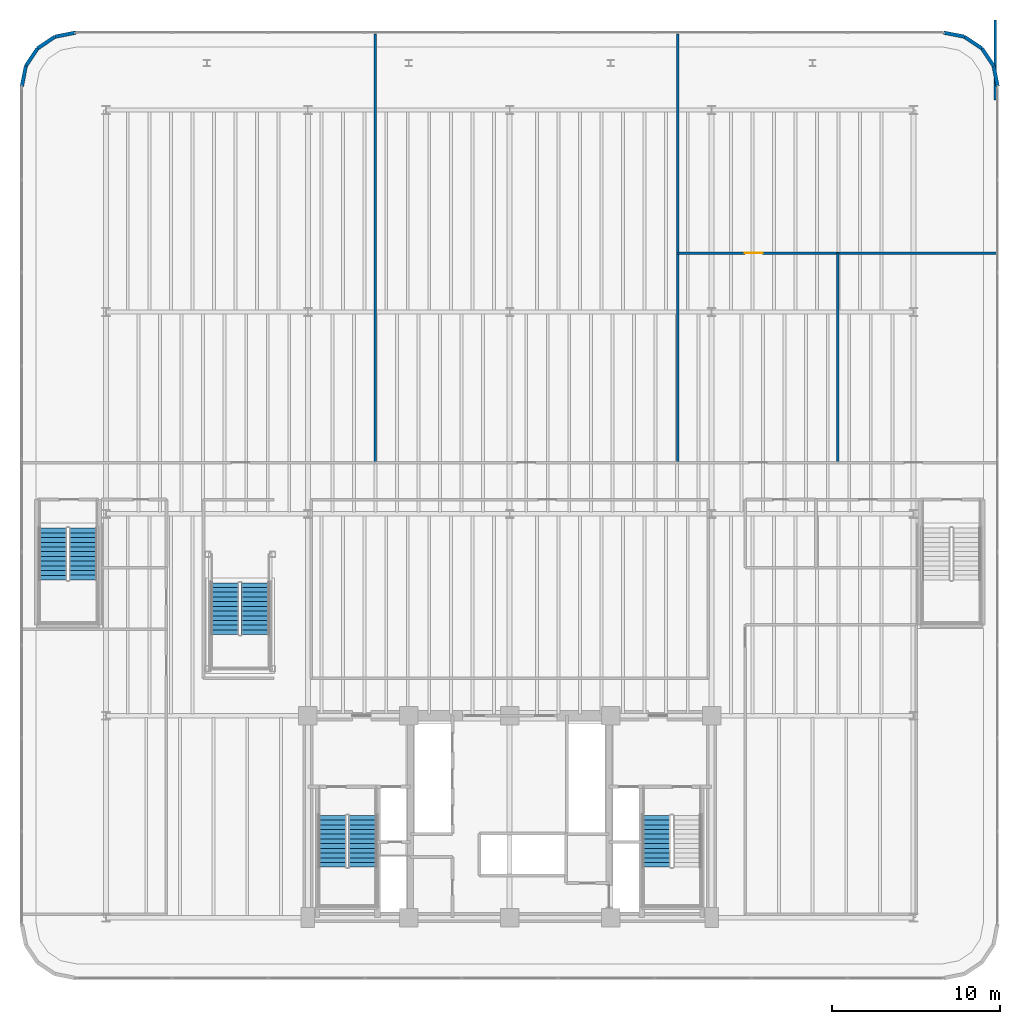
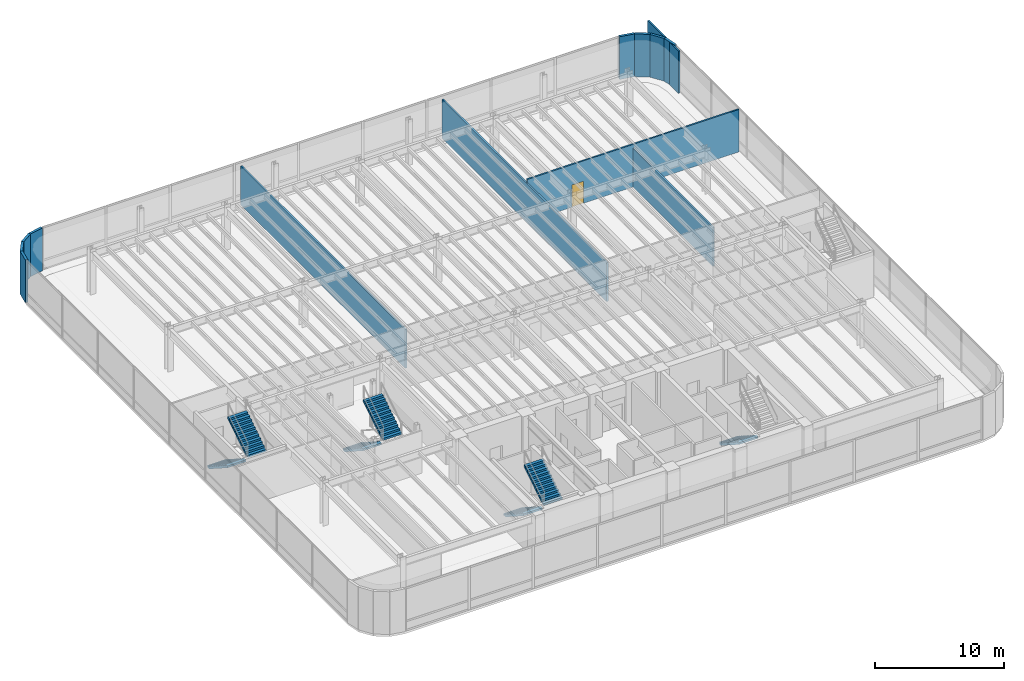
# One storey, part 15 of 19: 13 walls, 7 stair flights, 1 door, 1 opening, 4 elements without a shape of their own.
"""IFC4 building model written with IfcOpenShell, lengths in metres."""

from ifc_helpers import new_model, si_unit, direction, frame, frame_2d, origin, origin_2d, place, context, subcontext, project, spatial, polyline, rectangle, outline, extrude, source, transform, mapped, material, layer, layer_set, type_object, element, fill, aggregate, save


model = new_model("IFC4")

# Units and contexts
model_context = context("Model", 3, precision=1e-05, world=origin(), true_north=direction((0.0, 1.0)))
body_context = subcontext(model_context, "Body", "Model", "MODEL_VIEW")
ifc_project = project(units=[si_unit("LENGTHUNIT", "METRE"), si_unit("AREAUNIT", "SQUARE_METRE"), si_unit("VOLUMEUNIT", "CUBIC_METRE"), si_unit("PLANEANGLEUNIT", "RADIAN"), si_unit("MASSUNIT", "GRAM", prefix="KILO")], contexts=[model_context])

# Site, building, storey
site_placement = place(None, origin())
site = spatial("IfcSite", under=ifc_project, at=site_placement, CompositionType="ELEMENT")
building_placement = place(site_placement, origin())
building = spatial("IfcBuilding", under=site, at=building_placement, Name="Brelvock Crest Care Tower", CompositionType="ELEMENT")
storey_placement = place(building_placement, frame((0.0, 0.0, 14.0400390625)))
storey = spatial("IfcBuildingStorey", under=building, at=storey_placement, Name="L03", CompositionType="ELEMENT", Elevation=14.0400390625)

# Walls
ifc_material_1 = material(Name="Precast concrete N40 (40 MPa)", Category="concrete")
ifc_layer_1 = layer(ifc_material_1, 0.215087890625, Name="WL-EX2")
ifc_layer_set_1 = layer_set([ifc_layer_1], Name="Precast concrete N40 (40 MPa)")
wall_type_1 = type_object("IfcWallType", Name="WL-EX2", PredefinedType="SOLIDWALL", material=ifc_layer_set_1)
for number, where, z_axis, x_axis, name in (
    (1, (7.0, 55.39990234375, 0.0), (0.0, 0.0, 1.0), (0.195138390419, 0.980775717779, 0.0), "L03 Rounded Corner Wall 05"),
    (2, (7.24365234375, 56.62451171875, 0.0), (0.0, 0.0, 1.0), (0.555557312883, 0.831478245117, 0.0), "L03 Rounded Corner Wall 06"),
    (3, (7.937255859375, 57.66259765625, 0.0), (0.0, 0.0, 1.0), (0.831387912822, 0.555692485475, 0.0), "L03 Rounded Corner Wall 07"),
    (4, (8.975341796875, 58.3564453125, 0.0), (0.0, 0.0, 1.0), (0.980775717779, 0.195138390419, 0.0), "L03 Rounded Corner Wall 08"),
    (5, (61.800048828125, 58.60009765625, 0.0), (0.0, 0.0, 1.0), (0.980775717779, -0.195138390419, 0.0), "L03 Rounded Corner Wall 10"),
    (6, (63.024658203125, 58.3564453125, 0.0), (0.0, 0.0, 1.0), (0.831387912822, -0.555692485475, 0.0), "L03 Rounded Corner Wall 11"),
    (7, (64.062744140625, 57.66259765625, 0.0), (0.0, 0.0, 1.0), (0.555557312883, -0.831478245117, 0.0), "L03 Rounded Corner Wall 12"),
    (8, (64.75634765625, 56.62451171875, 0.0), (0.0, 0.0, 1.0), (0.195138390419, -0.980775717779, 0.0), "L03 Rounded Corner Wall 13"),
):
    element("IfcWall", number, at=place(storey_placement, frame(where, z_axis=z_axis, x_axis=x_axis)), inside=storey, type_object=wall_type_1, Name=name, PredefinedType="SOLIDWALL", context=body_context, shape_type="SweptSolid", body=[
        extrude(rectangle(XDim=1.24853515625, YDim=0.215087890625, at=frame_2d((0.624267578125, 0.0))), origin(), (0.0, 0.0, 1.0), 4.0400390625),
    ])

# Wall, opening, door
ifc_material_2 = material(Name="Masonry Blockwork Acoustic Partition", Category="masonry")
ifc_layer_2 = layer(ifc_material_2, 0.14990234375, Name="WL-INT1")
ifc_layer_set_2 = layer_set([ifc_layer_2], Name="Masonry Blockwork Acoustic Partition")
wall_type_2 = type_object("IfcWallType", Name="WL-INT1", PredefinedType="PARTITIONING", material=ifc_layer_set_2)
wall_1_placement = place(storey_placement, frame((46.0, 45.5, 0.0), z_axis=(0.0, 0.0, 1.0), x_axis=(1.0, 0.0, 0.0)))
wall_1 = element("IfcWall", 9, at=wall_1_placement, inside=storey, type_object=wall_type_2, Name="L03 Interior Wall WL-RM-L03-OCC3", PredefinedType="PARTITIONING", context=body_context, shape_type="SweptSolid", body=[
    extrude(rectangle(XDim=18.919921875, YDim=0.14990234375, at=frame_2d((9.4599609375, 0.0))), origin(), (0.0, 0.0, 1.0), 4.010009765625),
])
opening_placement = place(wall_1_placement, frame((3.97509765625, 0.0, 0.0)))
opening = element("IfcOpeningElement", 10, at=opening_placement, cuts=wall_1, Name="Opening CLD-1", PredefinedType="OPENING", context=body_context, shape_type="SweptSolid", body=[
    extrude(rectangle(XDim=1.050048828125, YDim=2.10009765625, at=origin_2d()), frame((0.52490234375, 0.0849609375, 1.050048828125), z_axis=(0.0, -1.0, 0.0), x_axis=(1.0, 0.0, 0.0)), (0.0, 0.0, 1.0), 0.169921875),
])
ifc_material_3 = material(Name="Engineered Hardwood Timber", Category="wood")
door_type = type_object("IfcDoorType", Name="DR-CLN1", OperationType="NOTDEFINED", PredefinedType="DOOR", material=ifc_material_3)
shared_shape = source(origin(), body_context, "Body", "SweptSolid", [
    extrude(rectangle(XDim=1.050048828125, YDim=2.10009765625, at=origin_2d()), frame((0.52490234375, 0.02490234375, 1.050048828125), z_axis=(0.0, -1.0, 0.0), x_axis=(1.0, 0.0, 0.0)), (0.0, 0.0, 1.0), 0.050048828125),
])
door_placement = place(opening_placement, origin())
door = element("IfcDoor", 11, at=door_placement, inside=storey, type_object=door_type, Name="L03 North Sensory Garden Salon Door OCC3", OperationType="SINGLE_SWING_LEFT", OverallHeight=2.10009765625, OverallWidth=1.050048828125, PredefinedType="DOOR", context=body_context, shape_type="MappedRepresentation", body=[
    mapped(shared_shape, transform((0.0, 0.0, 0.0), x_axis=(1.0, 0.0, 0.0), y_axis=(0.0, 1.0, 0.0), z_axis=(0.0, 0.0, 1.0), scale=1.0)),
])
fill(opening, door)

# Walls
for number, where, z_axis, x_axis, name in (
    (12, (28.0, 33.050048828125, 0.0), (0.0, 0.0, 1.0), (0.0, 1.0, 0.0), "L03 Interior Wall WL-BX-L03-GYM-W"),
    (13, (46.0, 33.050048828125, 0.0), (0.0, 0.0, 1.0), (0.0, 1.0, 0.0), "L03 Interior Wall WL-BX-L03-GYM-E"),
):
    element("IfcWall", number, at=place(storey_placement, frame(where, z_axis=z_axis, x_axis=x_axis)), inside=storey, type_object=wall_type_2, Name=name, PredefinedType="PARTITIONING", context=body_context, shape_type="SweptSolid", body=[
        extrude(rectangle(XDim=25.469970703125, YDim=0.14990234375, at=frame_2d((12.73486328125, 0.0))), origin(), (0.0, 0.0, 1.0), 3.666015625),
    ])
wall_2_placement = place(storey_placement, frame((55.5, 33.050048828125, 0.0), z_axis=(0.0, 0.0, 1.0), x_axis=(0.0, 1.0, 0.0)))
element("IfcWall", 14, at=wall_2_placement, inside=storey, type_object=wall_type_2, Name="L03 Interior Wall WL-BX-L03-OCC1-E", PredefinedType="PARTITIONING", context=body_context, shape_type="SweptSolid", body=[
    extrude(rectangle(XDim=12.449951171875, YDim=0.14990234375, at=frame_2d((6.22509765625, 0.0))), origin(), (0.0, 0.0, 1.0), 3.666015625),
])
wall_3_placement = place(storey_placement, frame((64.85009765625, 54.596435546875, 0.0), z_axis=(0.0, 0.0, 1.0), x_axis=(0.0, 1.0, 0.0)))
element("IfcWall", 15, at=wall_3_placement, inside=storey, type_object=wall_type_2, Name="L03 Interior Wall WL-BX-L03-OCC3-E", PredefinedType="PARTITIONING", context=body_context, shape_type="SweptSolid", body=[
    extrude(rectangle(XDim=4.753662109375, YDim=0.14990234375, at=frame_2d((2.376953125, 0.0))), origin(), (0.0, 0.0, 1.0), 4.010009765625),
])

# Stair, stair flights
ifc_material_4 = material(Name="Concrete N40 (40 MPa)", Category="concrete")
stair_type_1 = type_object("IfcStairType", Name="ST-CORE1", PredefinedType="HALF_TURN_STAIR", material=ifc_material_4)
stair_1_placement = place(storey_placement, origin())
stair_1 = element("IfcStair", 16, at=stair_1_placement, inside=storey, type_object=stair_type_1, Name="L03 Fire-Isolated Core Stair ST-1", PredefinedType="HALF_TURN_STAIR")
stair_flight_type_1 = type_object("IfcStairFlightType", Name="STF-1", PredefinedType="STRAIGHT", material=ifc_material_4)
stair_flight_1_placement = place(storey_placement, frame((25.469970703125, 12.080078125, 0.0), z_axis=(0.0, 0.0, 1.0), x_axis=(0.0, -1.0, 0.0)))
stair_flight_1 = element("IfcStairFlight", 17, at=stair_flight_1_placement, type_object=stair_flight_type_1, Name="ST-1 flight 1", NumberOfRisers=12, NumberOfTreads=11, PredefinedType="STRAIGHT", RiserHeight=0.18, TreadLength=0.28, context=body_context, shape_type="SweptSolid", body=[
    extrude(outline(polyline([(-0.00390625, -0.014892578125), (-0.00390625, -0.008056640625), (-0.00390625, -0.0009765625), (-0.00390625, 0.005859375), (-0.00390625, 0.012939453125), (-0.00390625, 0.019775390625), (-0.00390625, 0.02685546875), (-0.00390625, 0.03369140625), (-0.00390625, 0.040771484375), (-0.00390625, 0.047607421875), (-0.00390625, 0.0546875), (-0.00390625, 0.0615234375), (-0.00390625, 0.068603515625), (-0.00390625, 0.075439453125), (-0.00390625, 0.08251953125), (-0.00390625, 0.08935546875), (-0.00390625, 0.096435546875), (-0.00390625, 0.103271484375), (-0.00390625, 0.1103515625), (-0.00390625, 0.117431640625), (-0.00390625, 0.124267578125), (-0.00390625, 0.13134765625), (-0.00390625, 0.13818359375), (-0.00390625, 0.145263671875), (-0.00390625, 0.152099609375), (-0.00390625, 0.1591796875), (-0.00390625, 0.166015625), (-0.00390625, 0.173095703125), (-0.00390625, 0.179931640625), (0.0, 0.179931640625), (0.280029296875, 0.179931640625), (0.280029296875, 0.360107421875), (0.56005859375, 0.360107421875), (0.56005859375, 0.5400390625), (0.840087890625, 0.5400390625), (0.840087890625, 0.719970703125), (1.1201171875, 0.719970703125), (1.1201171875, 0.89990234375), (1.39990234375, 0.89990234375), (1.39990234375, 1.080078125), (1.679931640625, 1.080078125), (1.679931640625, 1.260009765625), (1.9599609375, 1.260009765625), (1.9599609375, 1.43994140625), (2.239990234375, 1.43994140625), (2.239990234375, 1.6201171875), (2.52001953125, 1.6201171875), (2.52001953125, 1.800048828125), (2.800048828125, 1.800048828125), (2.800048828125, 1.97998046875), (3.080078125, 1.97998046875), (3.083984375, 1.97998046875), (3.083740234375, 1.979248046875), (3.083984375, 1.978759765625), (3.083740234375, 1.97802734375), (3.083984375, 1.9775390625), (3.083740234375, 1.976806640625), (3.083984375, 1.97607421875), (3.083740234375, 1.9755859375), (3.083984375, 1.974853515625), (3.083740234375, 1.97412109375), (3.083984375, 1.9736328125), (3.083740234375, 1.972900390625), (3.083984375, 1.97216796875), (3.083740234375, 1.9716796875), (3.083984375, 1.970947265625), (3.083740234375, 1.970458984375), (3.083984375, 1.9697265625), (3.083740234375, 1.968994140625), (3.083984375, 1.968505859375), (3.083740234375, 1.9677734375), (3.083984375, 1.967041015625), (3.083740234375, 1.966552734375), (3.083984375, 1.9658203125), (3.083740234375, 1.96533203125), (3.083984375, 1.964599609375), (3.083740234375, 1.9638671875), (3.083984375, 1.96337890625), (3.083740234375, 1.962646484375), (3.083984375, 1.9619140625), (3.080078125, 1.8017578125), (0.277099609375, 0.0), (0.0, 0.0), (0.0, -0.014892578125), (-0.00390625, -0.014892578125)])), frame((0.0, 0.83984375, 0.0), z_axis=(0.0, -1.0, 0.0), x_axis=(1.0, 0.0, 0.0)), (0.0, 0.0, 1.0), 1.679931640625),
])
stair_flight_2_placement = place(storey_placement, frame((27.27001953125, 9.0, 2.159912109375), z_axis=(0.0, 0.0, 1.0), x_axis=(0.0, 1.0, 0.0)))
stair_flight_2 = element("IfcStairFlight", 18, at=stair_flight_2_placement, type_object=stair_flight_type_1, Name="ST-1 flight 2", NumberOfRisers=12, NumberOfTreads=11, PredefinedType="STRAIGHT", RiserHeight=0.18, TreadLength=0.28, context=body_context, shape_type="SweptSolid", body=[
    extrude(outline(polyline([(-0.00390625, -0.014892578125), (-0.00390625, -0.008056640625), (-0.00390625, -0.0009765625), (-0.00390625, 0.005859375), (-0.00390625, 0.012939453125), (-0.00390625, 0.019775390625), (-0.00390625, 0.02685546875), (-0.00390625, 0.03369140625), (-0.00390625, 0.040771484375), (-0.00390625, 0.047607421875), (-0.00390625, 0.0546875), (-0.00390625, 0.0615234375), (-0.00390625, 0.068603515625), (-0.00390625, 0.075439453125), (-0.00390625, 0.08251953125), (-0.00390625, 0.08935546875), (-0.00390625, 0.096435546875), (-0.00390625, 0.103271484375), (-0.00390625, 0.1103515625), (-0.00390625, 0.117431640625), (-0.00390625, 0.124267578125), (-0.00390625, 0.13134765625), (-0.00390625, 0.13818359375), (-0.00390625, 0.145263671875), (-0.00390625, 0.152099609375), (-0.00390625, 0.1591796875), (-0.00390625, 0.166015625), (-0.00390625, 0.173095703125), (-0.00390625, 0.179931640625), (0.0, 0.179931640625), (0.280029296875, 0.179931640625), (0.280029296875, 0.360107421875), (0.56005859375, 0.360107421875), (0.56005859375, 0.5400390625), (0.840087890625, 0.5400390625), (0.840087890625, 0.719970703125), (1.1201171875, 0.719970703125), (1.1201171875, 0.89990234375), (1.39990234375, 0.89990234375), (1.39990234375, 1.080078125), (1.679931640625, 1.080078125), (1.679931640625, 1.260009765625), (1.9599609375, 1.260009765625), (1.9599609375, 1.43994140625), (2.239990234375, 1.43994140625), (2.239990234375, 1.6201171875), (2.52001953125, 1.6201171875), (2.52001953125, 1.800048828125), (2.800048828125, 1.800048828125), (2.800048828125, 1.97998046875), (3.080078125, 1.97998046875), (3.083984375, 1.97998046875), (3.083740234375, 1.979248046875), (3.083984375, 1.978759765625), (3.083740234375, 1.97802734375), (3.083984375, 1.9775390625), (3.083740234375, 1.976806640625), (3.083984375, 1.97607421875), (3.083740234375, 1.9755859375), (3.083984375, 1.974853515625), (3.083740234375, 1.97412109375), (3.083984375, 1.9736328125), (3.083740234375, 1.972900390625), (3.083984375, 1.97216796875), (3.083740234375, 1.9716796875), (3.083984375, 1.970947265625), (3.083740234375, 1.970458984375), (3.083984375, 1.9697265625), (3.083740234375, 1.968994140625), (3.083984375, 1.968505859375), (3.083740234375, 1.9677734375), (3.083984375, 1.967041015625), (3.083740234375, 1.966552734375), (3.083984375, 1.9658203125), (3.083740234375, 1.96533203125), (3.083984375, 1.964599609375), (3.083740234375, 1.9638671875), (3.083984375, 1.96337890625), (3.083740234375, 1.962646484375), (3.083984375, 1.9619140625), (3.080078125, 1.8017578125), (0.277099609375, 0.0), (0.0, 0.0), (0.0, -0.014892578125), (-0.00390625, -0.014892578125)])), frame((0.0, 0.83984375, 0.0), z_axis=(0.0, -1.0, 0.0), x_axis=(1.0, 0.0, 0.0)), (0.0, 0.0, 1.0), 1.679931640625),
])
aggregate(stair_1, [stair_flight_1, stair_flight_2])

# Stair, stair flight
stair_2_placement = place(storey_placement, origin())
stair_2 = element("IfcStair", 19, at=stair_2_placement, inside=storey, type_object=stair_type_1, Name="L03 Fire-Isolated Core Stair ST-2", PredefinedType="HALF_TURN_STAIR")
stair_flight_3_placement = place(storey_placement, frame((44.72998046875, 12.080078125, 0.0), z_axis=(0.0, 0.0, 1.0), x_axis=(0.0, -1.0, 0.0)))
stair_flight_3 = element("IfcStairFlight", 20, at=stair_flight_3_placement, type_object=stair_flight_type_1, Name="ST-2 flight 1", NumberOfRisers=12, NumberOfTreads=11, PredefinedType="STRAIGHT", RiserHeight=0.18, TreadLength=0.28, context=body_context, shape_type="SweptSolid", body=[
    extrude(outline(polyline([(-0.00390625, -0.014892578125), (-0.00390625, -0.008056640625), (-0.00390625, -0.0009765625), (-0.00390625, 0.005859375), (-0.00390625, 0.012939453125), (-0.00390625, 0.019775390625), (-0.00390625, 0.02685546875), (-0.00390625, 0.03369140625), (-0.00390625, 0.040771484375), (-0.00390625, 0.047607421875), (-0.00390625, 0.0546875), (-0.00390625, 0.0615234375), (-0.00390625, 0.068603515625), (-0.00390625, 0.075439453125), (-0.00390625, 0.08251953125), (-0.00390625, 0.08935546875), (-0.00390625, 0.096435546875), (-0.00390625, 0.103271484375), (-0.00390625, 0.1103515625), (-0.00390625, 0.117431640625), (-0.00390625, 0.124267578125), (-0.00390625, 0.13134765625), (-0.00390625, 0.13818359375), (-0.00390625, 0.145263671875), (-0.00390625, 0.152099609375), (-0.00390625, 0.1591796875), (-0.00390625, 0.166015625), (-0.00390625, 0.173095703125), (-0.00390625, 0.179931640625), (0.0, 0.179931640625), (0.280029296875, 0.179931640625), (0.280029296875, 0.360107421875), (0.56005859375, 0.360107421875), (0.56005859375, 0.5400390625), (0.840087890625, 0.5400390625), (0.840087890625, 0.719970703125), (1.1201171875, 0.719970703125), (1.1201171875, 0.89990234375), (1.39990234375, 0.89990234375), (1.39990234375, 1.080078125), (1.679931640625, 1.080078125), (1.679931640625, 1.260009765625), (1.9599609375, 1.260009765625), (1.9599609375, 1.43994140625), (2.239990234375, 1.43994140625), (2.239990234375, 1.6201171875), (2.52001953125, 1.6201171875), (2.52001953125, 1.800048828125), (2.800048828125, 1.800048828125), (2.800048828125, 1.97998046875), (3.080078125, 1.97998046875), (3.083984375, 1.97998046875), (3.083740234375, 1.979248046875), (3.083984375, 1.978759765625), (3.083740234375, 1.97802734375), (3.083984375, 1.9775390625), (3.083740234375, 1.976806640625), (3.083984375, 1.97607421875), (3.083740234375, 1.9755859375), (3.083984375, 1.974853515625), (3.083740234375, 1.97412109375), (3.083984375, 1.9736328125), (3.083740234375, 1.972900390625), (3.083984375, 1.97216796875), (3.083740234375, 1.9716796875), (3.083984375, 1.970947265625), (3.083740234375, 1.970458984375), (3.083984375, 1.9697265625), (3.083740234375, 1.968994140625), (3.083984375, 1.968505859375), (3.083740234375, 1.9677734375), (3.083984375, 1.967041015625), (3.083740234375, 1.966552734375), (3.083984375, 1.9658203125), (3.083740234375, 1.96533203125), (3.083984375, 1.964599609375), (3.083740234375, 1.9638671875), (3.083984375, 1.96337890625), (3.083740234375, 1.962646484375), (3.083984375, 1.9619140625), (3.080078125, 1.8017578125), (0.277099609375, 0.0), (0.0, 0.0), (0.0, -0.014892578125), (-0.00390625, -0.014892578125)])), frame((0.0, 0.83984375, 0.0), z_axis=(0.0, -1.0, 0.0), x_axis=(1.0, 0.0, 0.0)), (0.0, 0.0, 1.0), 1.679931640625),
])
aggregate(stair_2, [stair_flight_3])

# Stair, stair flights
stair_type_2 = type_object("IfcStairType", Name="ST-FEA1", PredefinedType="HALF_TURN_STAIR", material=ifc_material_4)
stair_3_placement = place(storey_placement, origin())
stair_3 = element("IfcStair", 21, at=stair_3_placement, inside=storey, type_object=stair_type_2, Name="L03 Clinic Atrium Feature Stair ST-5", PredefinedType="HALF_TURN_STAIR")
stair_flight_4_placement = place(storey_placement, frame((19.080078125, 25.89990234375, 0.0), z_axis=(0.0, 0.0, 1.0), x_axis=(0.0, -1.0, 0.0)))
stair_flight_4 = element("IfcStairFlight", 22, at=stair_flight_4_placement, type_object=stair_flight_type_1, Name="ST-5 flight 1", NumberOfRisers=12, NumberOfTreads=11, PredefinedType="STRAIGHT", RiserHeight=0.18, TreadLength=0.28, context=body_context, shape_type="SweptSolid", body=[
    extrude(outline(polyline([(-0.00390625, -0.014892578125), (-0.00390625, -0.008056640625), (-0.00390625, -0.0009765625), (-0.00390625, 0.005859375), (-0.00390625, 0.012939453125), (-0.00390625, 0.019775390625), (-0.00390625, 0.02685546875), (-0.00390625, 0.03369140625), (-0.00390625, 0.040771484375), (-0.00390625, 0.047607421875), (-0.00390625, 0.0546875), (-0.00390625, 0.0615234375), (-0.00390625, 0.068603515625), (-0.00390625, 0.075439453125), (-0.00390625, 0.08251953125), (-0.00390625, 0.08935546875), (-0.00390625, 0.096435546875), (-0.00390625, 0.103271484375), (-0.00390625, 0.1103515625), (-0.00390625, 0.117431640625), (-0.00390625, 0.124267578125), (-0.00390625, 0.13134765625), (-0.00390625, 0.13818359375), (-0.00390625, 0.145263671875), (-0.00390625, 0.152099609375), (-0.00390625, 0.1591796875), (-0.00390625, 0.166015625), (-0.00390625, 0.173095703125), (-0.00390625, 0.179931640625), (0.0, 0.179931640625), (0.280029296875, 0.179931640625), (0.280029296875, 0.360107421875), (0.56005859375, 0.360107421875), (0.56005859375, 0.5400390625), (0.840087890625, 0.5400390625), (0.840087890625, 0.719970703125), (1.1201171875, 0.719970703125), (1.1201171875, 0.89990234375), (1.39990234375, 0.89990234375), (1.39990234375, 1.080078125), (1.679931640625, 1.080078125), (1.679931640625, 1.260009765625), (1.9599609375, 1.260009765625), (1.9599609375, 1.43994140625), (2.239990234375, 1.43994140625), (2.239990234375, 1.6201171875), (2.52001953125, 1.6201171875), (2.52001953125, 1.800048828125), (2.800048828125, 1.800048828125), (2.800048828125, 1.97998046875), (3.080078125, 1.97998046875), (3.083984375, 1.97998046875), (3.083740234375, 1.979248046875), (3.083984375, 1.978759765625), (3.083740234375, 1.97802734375), (3.083984375, 1.9775390625), (3.083740234375, 1.976806640625), (3.083984375, 1.97607421875), (3.083740234375, 1.9755859375), (3.083984375, 1.974853515625), (3.083740234375, 1.97412109375), (3.083984375, 1.9736328125), (3.083740234375, 1.972900390625), (3.083984375, 1.97216796875), (3.083740234375, 1.9716796875), (3.083984375, 1.970947265625), (3.083740234375, 1.970458984375), (3.083984375, 1.9697265625), (3.083740234375, 1.968994140625), (3.083984375, 1.968505859375), (3.083740234375, 1.9677734375), (3.083984375, 1.967041015625), (3.083740234375, 1.966552734375), (3.083984375, 1.9658203125), (3.083740234375, 1.96533203125), (3.083984375, 1.964599609375), (3.083740234375, 1.9638671875), (3.083984375, 1.96337890625), (3.083740234375, 1.962646484375), (3.083984375, 1.9619140625), (3.080078125, 1.8017578125), (0.277099609375, 0.0), (0.0, 0.0), (0.0, -0.014892578125), (-0.00390625, -0.014892578125)])), frame((0.0, 0.83984375, 0.0), z_axis=(0.0, -1.0, 0.0), x_axis=(1.0, 0.0, 0.0)), (0.0, 0.0, 1.0), 1.679931640625),
])
stair_flight_5_placement = place(storey_placement, frame((20.8798828125, 22.820068359375, 2.159912109375), z_axis=(0.0, 0.0, 1.0), x_axis=(0.0, 1.0, 0.0)))
stair_flight_5 = element("IfcStairFlight", 23, at=stair_flight_5_placement, type_object=stair_flight_type_1, Name="ST-5 flight 2", NumberOfRisers=12, NumberOfTreads=11, PredefinedType="STRAIGHT", RiserHeight=0.18, TreadLength=0.28, context=body_context, shape_type="SweptSolid", body=[
    extrude(outline(polyline([(-0.00390625, -0.014892578125), (-0.00390625, -0.008056640625), (-0.00390625, -0.0009765625), (-0.00390625, 0.005859375), (-0.00390625, 0.012939453125), (-0.00390625, 0.019775390625), (-0.00390625, 0.02685546875), (-0.00390625, 0.03369140625), (-0.00390625, 0.040771484375), (-0.00390625, 0.047607421875), (-0.00390625, 0.0546875), (-0.00390625, 0.0615234375), (-0.00390625, 0.068603515625), (-0.00390625, 0.075439453125), (-0.00390625, 0.08251953125), (-0.00390625, 0.08935546875), (-0.00390625, 0.096435546875), (-0.00390625, 0.103271484375), (-0.00390625, 0.1103515625), (-0.00390625, 0.117431640625), (-0.00390625, 0.124267578125), (-0.00390625, 0.13134765625), (-0.00390625, 0.13818359375), (-0.00390625, 0.145263671875), (-0.00390625, 0.152099609375), (-0.00390625, 0.1591796875), (-0.00390625, 0.166015625), (-0.00390625, 0.173095703125), (-0.00390625, 0.179931640625), (0.0, 0.179931640625), (0.280029296875, 0.179931640625), (0.280029296875, 0.360107421875), (0.56005859375, 0.360107421875), (0.56005859375, 0.5400390625), (0.840087890625, 0.5400390625), (0.840087890625, 0.719970703125), (1.1201171875, 0.719970703125), (1.1201171875, 0.89990234375), (1.39990234375, 0.89990234375), (1.39990234375, 1.080078125), (1.679931640625, 1.080078125), (1.679931640625, 1.260009765625), (1.9599609375, 1.260009765625), (1.9599609375, 1.43994140625), (2.239990234375, 1.43994140625), (2.239990234375, 1.6201171875), (2.52001953125, 1.6201171875), (2.52001953125, 1.800048828125), (2.800048828125, 1.800048828125), (2.800048828125, 1.97998046875), (3.080078125, 1.97998046875), (3.083984375, 1.97998046875), (3.083740234375, 1.979248046875), (3.083984375, 1.978759765625), (3.083740234375, 1.97802734375), (3.083984375, 1.9775390625), (3.083740234375, 1.976806640625), (3.083984375, 1.97607421875), (3.083740234375, 1.9755859375), (3.083984375, 1.974853515625), (3.083740234375, 1.97412109375), (3.083984375, 1.9736328125), (3.083740234375, 1.972900390625), (3.083984375, 1.97216796875), (3.083740234375, 1.9716796875), (3.083984375, 1.970947265625), (3.083740234375, 1.970458984375), (3.083984375, 1.9697265625), (3.083740234375, 1.968994140625), (3.083984375, 1.968505859375), (3.083740234375, 1.9677734375), (3.083984375, 1.967041015625), (3.083740234375, 1.966552734375), (3.083984375, 1.9658203125), (3.083740234375, 1.96533203125), (3.083984375, 1.964599609375), (3.083740234375, 1.9638671875), (3.083984375, 1.96337890625), (3.083740234375, 1.962646484375), (3.083984375, 1.9619140625), (3.080078125, 1.8017578125), (0.277099609375, 0.0), (0.0, 0.0), (0.0, -0.014892578125), (-0.00390625, -0.014892578125)])), frame((0.0, 0.83984375, 0.0), z_axis=(0.0, -1.0, 0.0), x_axis=(1.0, 0.0, 0.0)), (0.0, 0.0, 1.0), 1.679931640625),
])
aggregate(stair_3, [stair_flight_4, stair_flight_5])

stair_type_3 = type_object("IfcStairType", Name="ST-POD1", PredefinedType="HALF_TURN_STAIR", material=ifc_material_4)
stair_4_placement = place(storey_placement, origin())
stair_4 = element("IfcStair", 24, at=stair_4_placement, inside=storey, type_object=stair_type_3, Name="L03 Podium West Fire Stair ST-3", PredefinedType="HALF_TURN_STAIR")
stair_flight_type_2 = type_object("IfcStairFlightType", Name="STF-2", PredefinedType="STRAIGHT", material=ifc_material_4)
stair_flight_6_placement = place(storey_placement, frame((8.85009765625, 29.14990234375, 0.0), z_axis=(0.0, 0.0, 1.0), x_axis=(0.0, -1.0, 0.0)))
stair_flight_6 = element("IfcStairFlight", 25, at=stair_flight_6_placement, type_object=stair_flight_type_2, Name="ST-3 flight 1", NumberOfRisers=12, NumberOfTreads=11, PredefinedType="STRAIGHT", RiserHeight=0.18, TreadLength=0.28, context=body_context, shape_type="SweptSolid", body=[
    extrude(outline(polyline([(-0.00390625, -0.014892578125), (-0.00390625, -0.008056640625), (-0.00390625, -0.0009765625), (-0.00390625, 0.005859375), (-0.00390625, 0.012939453125), (-0.00390625, 0.019775390625), (-0.00390625, 0.02685546875), (-0.00390625, 0.03369140625), (-0.00390625, 0.040771484375), (-0.00390625, 0.047607421875), (-0.00390625, 0.0546875), (-0.00390625, 0.0615234375), (-0.00390625, 0.068603515625), (-0.00390625, 0.075439453125), (-0.00390625, 0.08251953125), (-0.00390625, 0.08935546875), (-0.00390625, 0.096435546875), (-0.00390625, 0.103271484375), (-0.00390625, 0.1103515625), (-0.00390625, 0.117431640625), (-0.00390625, 0.124267578125), (-0.00390625, 0.13134765625), (-0.00390625, 0.13818359375), (-0.00390625, 0.145263671875), (-0.00390625, 0.152099609375), (-0.00390625, 0.1591796875), (-0.00390625, 0.166015625), (-0.00390625, 0.173095703125), (-0.00390625, 0.179931640625), (0.0, 0.179931640625), (0.280029296875, 0.179931640625), (0.280029296875, 0.360107421875), (0.56005859375, 0.360107421875), (0.56005859375, 0.5400390625), (0.840087890625, 0.5400390625), (0.840087890625, 0.719970703125), (1.1201171875, 0.719970703125), (1.1201171875, 0.89990234375), (1.39990234375, 0.89990234375), (1.39990234375, 1.080078125), (1.679931640625, 1.080078125), (1.679931640625, 1.260009765625), (1.9599609375, 1.260009765625), (1.9599609375, 1.43994140625), (2.239990234375, 1.43994140625), (2.239990234375, 1.6201171875), (2.52001953125, 1.6201171875), (2.52001953125, 1.800048828125), (2.800048828125, 1.800048828125), (2.800048828125, 1.97998046875), (3.080078125, 1.97998046875), (3.083984375, 1.97998046875), (3.083740234375, 1.979248046875), (3.083984375, 1.978759765625), (3.083740234375, 1.97802734375), (3.083984375, 1.9775390625), (3.083740234375, 1.976806640625), (3.083984375, 1.97607421875), (3.083740234375, 1.9755859375), (3.083984375, 1.974853515625), (3.083740234375, 1.97412109375), (3.083984375, 1.9736328125), (3.083740234375, 1.972900390625), (3.083984375, 1.97216796875), (3.083740234375, 1.9716796875), (3.083984375, 1.970947265625), (3.083740234375, 1.970458984375), (3.083984375, 1.9697265625), (3.083740234375, 1.968994140625), (3.083984375, 1.968505859375), (3.083740234375, 1.9677734375), (3.083984375, 1.967041015625), (3.083740234375, 1.966552734375), (3.083984375, 1.9658203125), (3.083740234375, 1.96533203125), (3.083984375, 1.964599609375), (3.083740234375, 1.9638671875), (3.083984375, 1.96337890625), (3.083740234375, 1.962646484375), (3.083984375, 1.9619140625), (3.080078125, 1.8017578125), (0.277099609375, 0.0), (0.0, 0.0), (0.0, -0.014892578125), (-0.00390625, -0.014892578125)])), frame((0.0, 0.83984375, 0.0), z_axis=(0.0, -1.0, 0.0), x_axis=(1.0, 0.0, 0.0)), (0.0, 0.0, 1.0), 1.679931640625),
])
stair_flight_7_placement = place(storey_placement, frame((10.64990234375, 26.070068359375, 2.159912109375), z_axis=(0.0, 0.0, 1.0), x_axis=(0.0, 1.0, 0.0)))
stair_flight_7 = element("IfcStairFlight", 26, at=stair_flight_7_placement, type_object=stair_flight_type_2, Name="ST-3 flight 2", NumberOfRisers=12, NumberOfTreads=11, PredefinedType="STRAIGHT", RiserHeight=0.18, TreadLength=0.28, context=body_context, shape_type="SweptSolid", body=[
    extrude(outline(polyline([(-0.00390625, -0.014892578125), (-0.00390625, -0.008056640625), (-0.00390625, -0.0009765625), (-0.00390625, 0.005859375), (-0.00390625, 0.012939453125), (-0.00390625, 0.019775390625), (-0.00390625, 0.02685546875), (-0.00390625, 0.03369140625), (-0.00390625, 0.040771484375), (-0.00390625, 0.047607421875), (-0.00390625, 0.0546875), (-0.00390625, 0.0615234375), (-0.00390625, 0.068603515625), (-0.00390625, 0.075439453125), (-0.00390625, 0.08251953125), (-0.00390625, 0.08935546875), (-0.00390625, 0.096435546875), (-0.00390625, 0.103271484375), (-0.00390625, 0.1103515625), (-0.00390625, 0.117431640625), (-0.00390625, 0.124267578125), (-0.00390625, 0.13134765625), (-0.00390625, 0.13818359375), (-0.00390625, 0.145263671875), (-0.00390625, 0.152099609375), (-0.00390625, 0.1591796875), (-0.00390625, 0.166015625), (-0.00390625, 0.173095703125), (-0.00390625, 0.179931640625), (0.0, 0.179931640625), (0.280029296875, 0.179931640625), (0.280029296875, 0.360107421875), (0.56005859375, 0.360107421875), (0.56005859375, 0.5400390625), (0.840087890625, 0.5400390625), (0.840087890625, 0.719970703125), (1.1201171875, 0.719970703125), (1.1201171875, 0.89990234375), (1.39990234375, 0.89990234375), (1.39990234375, 1.080078125), (1.679931640625, 1.080078125), (1.679931640625, 1.260009765625), (1.9599609375, 1.260009765625), (1.9599609375, 1.43994140625), (2.239990234375, 1.43994140625), (2.239990234375, 1.6201171875), (2.52001953125, 1.6201171875), (2.52001953125, 1.800048828125), (2.800048828125, 1.800048828125), (2.800048828125, 1.97998046875), (3.080078125, 1.97998046875), (3.083984375, 1.97998046875), (3.083740234375, 1.979248046875), (3.083984375, 1.978759765625), (3.083740234375, 1.97802734375), (3.083984375, 1.9775390625), (3.083740234375, 1.976806640625), (3.083984375, 1.97607421875), (3.083740234375, 1.9755859375), (3.083984375, 1.974853515625), (3.083740234375, 1.97412109375), (3.083984375, 1.9736328125), (3.083740234375, 1.972900390625), (3.083984375, 1.97216796875), (3.083740234375, 1.9716796875), (3.083984375, 1.970947265625), (3.083740234375, 1.970458984375), (3.083984375, 1.9697265625), (3.083740234375, 1.968994140625), (3.083984375, 1.968505859375), (3.083740234375, 1.9677734375), (3.083984375, 1.967041015625), (3.083740234375, 1.966552734375), (3.083984375, 1.9658203125), (3.083740234375, 1.96533203125), (3.083984375, 1.964599609375), (3.083740234375, 1.9638671875), (3.083984375, 1.96337890625), (3.083740234375, 1.962646484375), (3.083984375, 1.9619140625), (3.080078125, 1.8017578125), (0.277099609375, 0.0), (0.0, 0.0), (0.0, -0.014892578125), (-0.00390625, -0.014892578125)])), frame((0.0, 0.83984375, 0.0), z_axis=(0.0, -1.0, 0.0), x_axis=(1.0, 0.0, 0.0)), (0.0, 0.0, 1.0), 1.679931640625),
])
aggregate(stair_4, [stair_flight_6, stair_flight_7])

save(model, "model.ifc")
